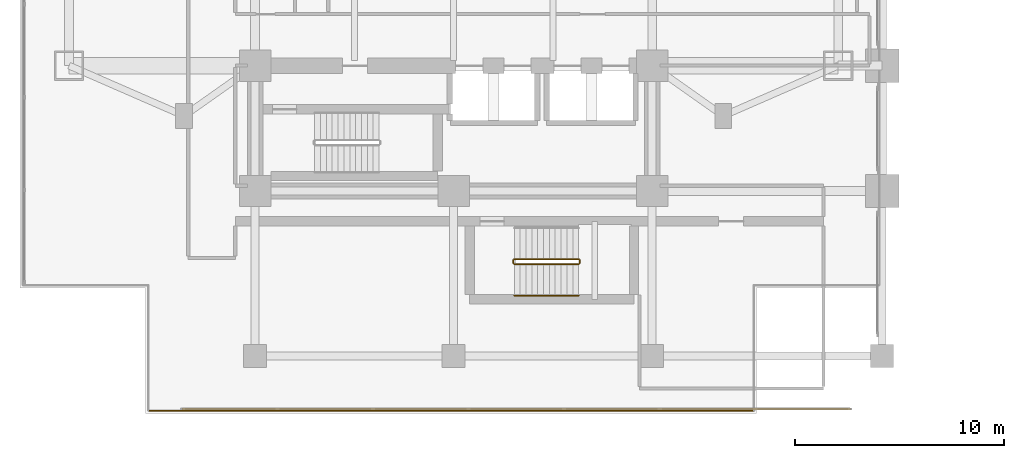
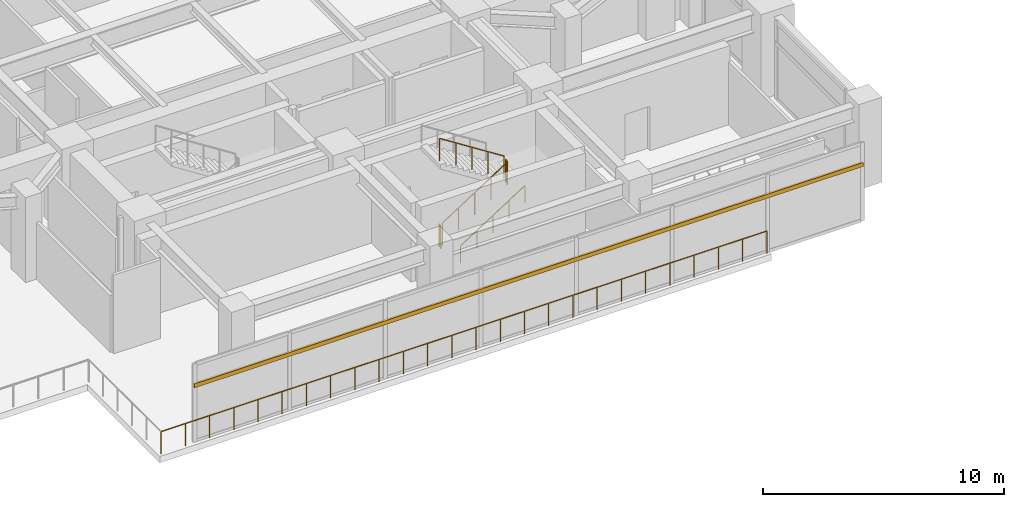
# One storey, part 22 of 31: 6 railings, 1 shading device.
"""IFC4 building model written with IfcOpenShell, lengths in metres."""

import ifcopenshell
import ifcopenshell.guid

model = None  # the IFC model being written
_history = None  # IfcOwnerHistory: only IFC2X3 demands one
_inside = {}  # id of a spatial element -> (the spatial element, [elements in it])
_under = {}  # id of a project, library or spatial element -> (it, [spatial elements below it])
_declared = {}  # id of a project -> (the project, [libraries it declares])
_typed = {}  # id of a type object -> (the type object, [elements of that type])
_made_of = {}  # id of a material, layer set ... -> (it, [elements and type objects made of it])


def new_model(schema):
    """Start an empty IFC model of exactly this schema.

    Asked for "IFC4X3", IfcOpenShell would pick the latest addendum, in which some entities
    have other attributes; the version numbers below select the first issue.
    IFC2X3 requires an IfcOwnerHistory on every rooted entity: one is made here for all.
    """
    global model, _history
    if schema == "IFC4X3":
        model = ifcopenshell.file(schema_version=(4, 3, 0, 0))
    else:
        model = ifcopenshell.file(schema=schema)
    _inside.clear()
    _under.clear()
    _declared.clear()
    _typed.clear()
    _made_of.clear()
    _history = None
    if model.schema == "IFC2X3":
        org = make("IfcOrganization", Name="unknown")
        user = make(
            "IfcPersonAndOrganization",
            ThePerson=make("IfcPerson", FamilyName="unknown"),
            TheOrganization=org,
        )
        app = make(
            "IfcApplication",
            ApplicationDeveloper=org,
            Version="unknown",
            ApplicationFullName="unknown",
            ApplicationIdentifier="unknown",
        )
        _history = make(
            "IfcOwnerHistory",
            OwningUser=user,
            OwningApplication=app,
            ChangeAction="ADDED",
            CreationDate=0,
        )
    return model


def make(cls, **values):
    """One entity of the class cls with the attributes given. An attribute that is None is left unset."""
    return model.create_entity(
        cls, **{name: value for name, value in values.items() if value is not None}
    )


def rooted(cls, **values):
    """An entity with a GlobalId (a new one), such as an element, a storey or a relation."""
    return make(cls, GlobalId=ifcopenshell.guid.new(), OwnerHistory=_history, **values)


def si_unit(unit_type, name, prefix=None):
    """IfcSIUnit, for example si_unit("LENGTHUNIT", "METRE", prefix="MILLI")."""
    return make("IfcSIUnit", UnitType=unit_type, Prefix=prefix, Name=name)


def assignment(units):
    """IfcUnitAssignment: the units of a project."""
    return None if units is None else make("IfcUnitAssignment", Units=units)


def point(xyz):
    """IfcCartesianPoint."""
    return None if xyz is None else make("IfcCartesianPoint", Coordinates=xyz)


def direction(xyz):
    """IfcDirection."""
    return None if xyz is None else make("IfcDirection", DirectionRatios=xyz)


def frame(location, z_axis=None, x_axis=None):
    """IfcAxis2Placement3D, a coordinate frame: its origin and axes. An axis left out is left unset."""
    return make(
        "IfcAxis2Placement3D",
        Location=point(location),
        Axis=direction(z_axis),
        RefDirection=direction(x_axis),
    )


def frame_2d(location, x_axis=None):
    """IfcAxis2Placement2D, a coordinate frame in the plane: its origin and x axis."""
    return make(
        "IfcAxis2Placement2D", Location=point(location), RefDirection=direction(x_axis)
    )


def origin():
    """The frame at (0, 0, 0) with its axes left unset."""
    return frame((0.0, 0.0, 0.0))


def origin_2d():
    """The frame at (0, 0) in the plane with its x axis left unset."""
    return frame_2d((0.0, 0.0))


def place(relative_to, where):
    """IfcLocalPlacement: puts the frame where relative to a parent placement (None: the world)."""
    return make(
        "IfcLocalPlacement", PlacementRelTo=relative_to, RelativePlacement=where
    )


def context(
    kind, dimensions, precision=None, world=None, true_north=None, identifier=None
):
    """IfcGeometricRepresentationContext, for example the 3D "Model" context."""
    return make(
        "IfcGeometricRepresentationContext",
        ContextIdentifier=identifier,
        ContextType=kind,
        CoordinateSpaceDimension=dimensions,
        Precision=precision,
        WorldCoordinateSystem=world,
        TrueNorth=true_north,
    )


def subcontext(parent, identifier, kind, view, scale=None):
    """IfcGeometricRepresentationSubContext, for example "Body" below "Model"."""
    return make(
        "IfcGeometricRepresentationSubContext",
        ContextIdentifier=identifier,
        ContextType=kind,
        ParentContext=parent,
        TargetScale=scale,
        TargetView=view,
    )


def project(units=None, contexts=None):
    """IfcProject with its units and contexts."""
    return rooted(
        "IfcProject",
        Name="project",
        RepresentationContexts=contexts,
        UnitsInContext=assignment(units),
    )


def spatial(cls, under=None, at=None, **own):
    """A site, building, storey or space (cls), placed at a placement, below another one or the project."""
    s = rooted(cls, ObjectPlacement=at, **own)
    if under is not None:
        _under.setdefault(under.id(), (under, []))[1].append(s)
    return s


def profile(cls, at=None, kind="AREA", **sizes):
    """A parametric profile (cls). Its sizes go by their IFC names, for example OverallWidth=200.0."""
    return make(cls, ProfileType=kind, Position=at, **sizes)


def rectangle(**sizes):
    """IfcRectangleProfileDef."""
    return profile("IfcRectangleProfileDef", **sizes)


def circle(**sizes):
    """IfcCircleProfileDef."""
    return profile("IfcCircleProfileDef", **sizes)


def extrude(swept, where, along, depth):
    """IfcExtrudedAreaSolid: the profile swept, set in the frame where, extruded along a direction by depth."""
    return make(
        "IfcExtrudedAreaSolid",
        SweptArea=swept,
        Position=where,
        ExtrudedDirection=direction(along),
        Depth=depth,
    )


def shape(context_of_items, identifier, shape_type, items):
    """IfcShapeRepresentation: the items that make up one representation, for example the "Body"."""
    return make(
        "IfcShapeRepresentation",
        ContextOfItems=context_of_items,
        RepresentationIdentifier=identifier,
        RepresentationType=shape_type,
        Items=items,
    )


def material(Name=None, Category=None):
    """IfcMaterial."""
    return make("IfcMaterial", Name=Name, Category=Category)


def material_profile(
    of_material, cross_section, Name=None, Category=None, Priority=None
):
    """IfcMaterialProfile: a cross section and its material."""
    return make(
        "IfcMaterialProfile",
        Name=Name,
        Material=of_material,
        Profile=cross_section,
        Priority=Priority,
        Category=Category,
    )


def profile_set(profiles, Name=None, composite=None):
    """IfcMaterialProfileSet."""
    return make(
        "IfcMaterialProfileSet",
        Name=Name,
        MaterialProfiles=profiles,
        CompositeProfile=composite,
    )


def made_of(thing, what):
    """Note that an element or type object is made of a material, layer set ...; save() writes the relation."""
    if what is not None:
        _made_of.setdefault(what.id(), (what, []))[1].append(thing)
    return thing


def type_object(cls, material=None, **own):
    """A type object (cls), such as IfcWallType, which elements share."""
    return made_of(rooted(cls, **own), material)


def element(
    cls,
    number,
    at=None,
    inside=None,
    cuts=None,
    type_object=None,
    material=None,
    context=None,
    identifier="Body",
    shape_type=None,
    held_by="IfcProductDefinitionShape",
    body=None,
    shapes=None,
    **own,
):
    """One element of the class cls, such as IfcWall. Its Tag is "e" and its number.

    at: its placement. inside: the storey or other place that contains it. cuts: it is an
    opening in that element (IfcRelVoidsElement). A single representation is given by context,
    identifier, shape_type and body (its items); several are given by shapes. held_by: the class
    of the entity that holds the representations. save() writes the other relations.
    """
    e = rooted(cls, Tag="e%d" % number, ObjectPlacement=at, **own)
    if body is not None:
        shapes = [shape(context, identifier, shape_type, body)]
    if shapes is not None:
        e.Representation = make(held_by, Representations=shapes)
    if inside is not None:
        _inside.setdefault(inside.id(), (inside, []))[1].append(e)
    if cuts is not None:
        rooted(
            "IfcRelVoidsElement", RelatingBuildingElement=cuts, RelatedOpeningElement=e
        )
    if type_object is not None:
        _typed.setdefault(type_object.id(), (type_object, []))[1].append(e)
    return made_of(e, material)


def aggregate(whole, parts):
    """IfcRelAggregates: a whole, such as a stair, and the parts it consists of."""
    return rooted("IfcRelAggregates", RelatingObject=whole, RelatedObjects=parts)


def save(model, path):
    """Write the relations noted so far, then the file.

    IfcRelAggregates (storeys below a building ...), IfcRelContainedInSpatialStructure (elements
    in a storey), IfcRelDefinesByType, IfcRelAssociatesMaterial and IfcRelDeclares: one each for
    every whole, place, type object, material and project.
    """
    for whole, parts in _under.values():
        aggregate(whole, parts)
    for where, things in _inside.values():
        rooted(
            "IfcRelContainedInSpatialStructure",
            RelatedElements=things,
            RelatingStructure=where,
        )
    for kind, things in _typed.values():
        rooted("IfcRelDefinesByType", RelatedObjects=things, RelatingType=kind)
    for what, things in _made_of.values():
        rooted("IfcRelAssociatesMaterial", RelatedObjects=things, RelatingMaterial=what)
    for by, libraries in _declared.values():
        rooted("IfcRelDeclares", RelatingContext=by, RelatedDefinitions=libraries)
    model.write(path)


model = new_model("IFC4")

# Units and contexts
model_context = context("Model", 3, precision=1e-05, world=origin(), true_north=direction((0.0, 1.0)))
body_context = subcontext(model_context, "Body", "Model", "MODEL_VIEW")
ifc_project = project(units=[si_unit("LENGTHUNIT", "METRE"), si_unit("AREAUNIT", "SQUARE_METRE"), si_unit("VOLUMEUNIT", "CUBIC_METRE"), si_unit("PLANEANGLEUNIT", "RADIAN"), si_unit("MASSUNIT", "GRAM", prefix="KILO")], contexts=[model_context])

# Site, building, storey
site_placement = place(None, origin())
site = spatial("IfcSite", under=ifc_project, at=site_placement, CompositionType="ELEMENT")
building_placement = place(site_placement, origin())
building = spatial("IfcBuilding", under=site, at=building_placement, Name="Mirazonda Arch Towers", CompositionType="ELEMENT")
storey_placement = place(building_placement, frame((0.0, 0.0, 5.199951171875)))
storey = spatial("IfcBuildingStorey", under=building, at=storey_placement, Name="L01", CompositionType="ELEMENT", Elevation=5.199951171875)

# Shading device
ifc_material_1 = material(Name="Kiln-Fired Architectural Terracotta", Category="masonry")
ifc_material_profile = material_profile(ifc_material_1, rectangle(XDim=0.10009765625, YDim=0.199951171875, at=origin_2d()), Name="TERRA-BAG-100x200")
ifc_profile_set = profile_set([ifc_material_profile], Name="Kiln-Fired Architectural Terracotta")
shading_device_type = type_object("IfcShadingDeviceType", Name="BAGUETTE-2", PredefinedType="USERDEFINED", material=ifc_profile_set)
shading_device_placement = place(storey_placement, frame((39.5, 1.969970703125, 2.851318359375), z_axis=(-1.0, 0.0, 0.0), x_axis=(0.0, -1.0, 0.0)))
element("IfcShadingDevice", 1, at=shading_device_placement, inside=storey, type_object=shading_device_type, Name="L01 Glazed Terracotta Sun-Screen Baguette CW-L01-WS", ObjectType="BAGUETTE", PredefinedType="USERDEFINED", context=body_context, shape_type="SweptSolid", body=[
    extrude(rectangle(XDim=0.10009765625, YDim=0.199951171875, at=origin_2d()), origin(), (0.0, 0.0, 1.0), 32.0),
])

# Railings
ifc_material_2 = material(Name="Architectural Brushed Steel S355", Category="steel")
railing_type_1 = type_object("IfcRailingType", Name="GUARD-EXT-1150", PredefinedType="GUARDRAIL", material=ifc_material_2)
railing_1_placement = place(storey_placement, frame((5.889892578125, 1.889892578125, 0.0)))
element("IfcRailing", 2, at=railing_1_placement, inside=storey, type_object=railing_type_1, Name="L01 L01 West Podium Perimeter Guard 01", PredefinedType="GUARDRAIL", context=body_context, shape_type="SweptSolid", body=[
    extrude(circle(Radius=0.02392578125, at=origin_2d()), frame((0.0, 0.0, 1.1259765625), z_axis=(1.0, 0.0, 0.0), x_axis=(0.0, 1.0, 0.0)), (0.0, 0.0, 1.0), 28.97021484375),
    extrude(circle(Radius=0.02099609375, at=origin_2d()), origin(), (0.0, 0.0, 1.0), 1.101806640625),
    extrude(circle(Radius=0.02099609375, at=origin_2d()), frame((1.15869140625, 0.0, 0.0)), (0.0, 0.0, 1.0), 1.101806640625),
    extrude(circle(Radius=0.02099609375, at=origin_2d()), frame((2.317626953125, 0.0, 0.0)), (0.0, 0.0, 1.0), 1.101806640625),
    extrude(circle(Radius=0.02099609375, at=origin_2d()), frame((3.476318359375, 0.0, 0.0)), (0.0, 0.0, 1.0), 1.101806640625),
    extrude(circle(Radius=0.02099609375, at=origin_2d()), frame((4.63525390625, 0.0, 0.0)), (0.0, 0.0, 1.0), 1.101806640625),
    extrude(circle(Radius=0.02099609375, at=origin_2d()), frame((5.7939453125, 0.0, 0.0)), (0.0, 0.0, 1.0), 1.101806640625),
    extrude(circle(Radius=0.02099609375, at=origin_2d()), frame((6.952880859375, 0.0, 0.0)), (0.0, 0.0, 1.0), 1.101806640625),
    extrude(circle(Radius=0.02099609375, at=origin_2d()), frame((8.111572265625, 0.0, 0.0)), (0.0, 0.0, 1.0), 1.101806640625),
    extrude(circle(Radius=0.02099609375, at=origin_2d()), frame((9.2705078125, 0.0, 0.0)), (0.0, 0.0, 1.0), 1.101806640625),
    extrude(circle(Radius=0.02099609375, at=origin_2d()), frame((10.42919921875, 0.0, 0.0)), (0.0, 0.0, 1.0), 1.101806640625),
    extrude(circle(Radius=0.02099609375, at=origin_2d()), frame((11.588134765625, 0.0, 0.0)), (0.0, 0.0, 1.0), 1.101806640625),
    extrude(circle(Radius=0.02099609375, at=origin_2d()), frame((12.746826171875, 0.0, 0.0)), (0.0, 0.0, 1.0), 1.101806640625),
    extrude(circle(Radius=0.02099609375, at=origin_2d()), frame((13.90576171875, 0.0, 0.0)), (0.0, 0.0, 1.0), 1.101806640625),
    extrude(circle(Radius=0.02099609375, at=origin_2d()), frame((15.064453125, 0.0, 0.0)), (0.0, 0.0, 1.0), 1.101806640625),
    extrude(circle(Radius=0.02099609375, at=origin_2d()), frame((16.223388671875, 0.0, 0.0)), (0.0, 0.0, 1.0), 1.101806640625),
    extrude(circle(Radius=0.02099609375, at=origin_2d()), frame((17.382080078125, 0.0, 0.0)), (0.0, 0.0, 1.0), 1.101806640625),
    extrude(circle(Radius=0.02099609375, at=origin_2d()), frame((18.541015625, 0.0, 0.0)), (0.0, 0.0, 1.0), 1.101806640625),
    extrude(circle(Radius=0.02099609375, at=origin_2d()), frame((19.69970703125, 0.0, 0.0)), (0.0, 0.0, 1.0), 1.101806640625),
    extrude(circle(Radius=0.02099609375, at=origin_2d()), frame((20.858642578125, 0.0, 0.0)), (0.0, 0.0, 1.0), 1.101806640625),
    extrude(circle(Radius=0.02099609375, at=origin_2d()), frame((22.017333984375, 0.0, 0.0)), (0.0, 0.0, 1.0), 1.101806640625),
    extrude(circle(Radius=0.02099609375, at=origin_2d()), frame((23.17626953125, 0.0, 0.0)), (0.0, 0.0, 1.0), 1.101806640625),
    extrude(circle(Radius=0.02099609375, at=origin_2d()), frame((24.3349609375, 0.0, 0.0)), (0.0, 0.0, 1.0), 1.101806640625),
    extrude(circle(Radius=0.02099609375, at=origin_2d()), frame((25.493896484375, 0.0, 0.0)), (0.0, 0.0, 1.0), 1.101806640625),
    extrude(circle(Radius=0.02099609375, at=origin_2d()), frame((26.652587890625, 0.0, 0.0)), (0.0, 0.0, 1.0), 1.101806640625),
    extrude(circle(Radius=0.02099609375, at=origin_2d()), frame((27.8115234375, 0.0, 0.0)), (0.0, 0.0, 1.0), 1.101806640625),
    extrude(circle(Radius=0.02099609375, at=origin_2d()), frame((28.97021484375, 0.0, 0.0)), (0.0, 0.0, 1.0), 1.101806640625),
])
railing_type_2 = type_object("IfcRailingType", Name="GUARD-STAIR-1120", PredefinedType="GUARDRAIL", material=ifc_material_2)
railing_2_placement = place(storey_placement, frame((23.39990234375, 8.89990234375, 0.17919921875)))
element("IfcRailing", 3, at=railing_2_placement, inside=storey, type_object=railing_type_2, Name="L01 ST-POD1 stair guard 1", PredefinedType="GUARDRAIL", context=body_context, shape_type="SweptSolid", body=[
    extrude(circle(Radius=0.02392578125, at=origin_2d()), frame((0.0, 0.0, 1.1259765625), z_axis=(0.842308987159, 0.0, 0.53899496301), x_axis=(0.0, 1.0, 0.0)), (0.0, 0.0, 1.0), 3.65673828125),
    extrude(circle(Radius=0.02099609375, at=origin_2d()), origin(), (0.0, 0.0, 1.0), 1.101806640625),
    extrude(circle(Radius=0.02099609375, at=origin_2d()), frame((0.77001953125, 0.0, 0.49267578125)), (0.0, 0.0, 1.0), 1.101806640625),
    extrude(circle(Radius=0.02099609375, at=origin_2d()), frame((1.5400390625, 0.0, 0.9853515625)), (0.0, 0.0, 1.0), 1.101806640625),
    extrude(circle(Radius=0.02099609375, at=origin_2d()), frame((2.31005859375, 0.0, 1.478271484375)), (0.0, 0.0, 1.0), 1.101806640625),
    extrude(circle(Radius=0.02099609375, at=origin_2d()), frame((3.080078125, 0.0, 1.970947265625)), (0.0, 0.0, 1.0), 1.101806640625),
])
railing_3_placement = place(storey_placement, frame((26.530029296875, 8.949951171875, 2.150146484375)))
element("IfcRailing", 4, at=railing_3_placement, inside=storey, type_object=railing_type_2, Name="L01 ST-POD1 stair guard 2", PredefinedType="GUARDRAIL", context=body_context, shape_type="SweptSolid", body=[
    extrude(circle(Radius=0.02392578125, at=origin_2d()), frame((0.0, 0.0, 1.1259765625), z_axis=(0.0, 1.0, 0.0), x_axis=(-1.0, 0.0, 0.0)), (0.0, 0.0, 1.0), 0.14013671875),
    extrude(circle(Radius=0.02099609375, at=origin_2d()), origin(), (0.0, 0.0, 1.0), 1.101806640625),
    extrude(circle(Radius=0.02099609375, at=origin_2d()), frame((0.0, 0.14013671875, 0.0)), (0.0, 0.0, 1.0), 1.101806640625),
])
railing_4_placement = place(storey_placement, frame((26.47998046875, 9.139892578125, 2.3291015625)))
element("IfcRailing", 5, at=railing_4_placement, inside=storey, type_object=railing_type_2, Name="L01 ST-POD1 stair guard 3", PredefinedType="GUARDRAIL", context=body_context, shape_type="SweptSolid", body=[
    extrude(circle(Radius=0.02392578125, at=origin_2d()), frame((0.0, 0.0, 1.1259765625), z_axis=(-0.842308987159, 0.0, 0.53899496301), x_axis=(0.0, -1.0, 0.0)), (0.0, 0.0, 1.0), 3.65673828125),
    extrude(circle(Radius=0.02099609375, at=origin_2d()), origin(), (0.0, 0.0, 1.0), 1.101806640625),
    extrude(circle(Radius=0.02099609375, at=origin_2d()), frame((-0.77001953125, 0.0, 0.49267578125)), (0.0, 0.0, 1.0), 1.101806640625),
    extrude(circle(Radius=0.02099609375, at=origin_2d()), frame((-1.5400390625, 0.0, 0.9853515625)), (0.0, 0.0, 1.0), 1.101806640625),
    extrude(circle(Radius=0.02099609375, at=origin_2d()), frame((-2.31005859375, 0.0, 1.478271484375)), (0.0, 0.0, 1.0), 1.101806640625),
    extrude(circle(Radius=0.02099609375, at=origin_2d()), frame((-3.080078125, 0.0, 1.970947265625)), (0.0, 0.0, 1.0), 1.101806640625),
])
railing_5_placement = place(storey_placement, frame((23.35009765625, 8.949951171875, 0.0)))
element("IfcRailing", 6, at=railing_5_placement, inside=storey, type_object=railing_type_2, Name="L01 ST-POD1 stair guard 4", PredefinedType="GUARDRAIL", context=body_context, shape_type="SweptSolid", body=[
    extrude(circle(Radius=0.02392578125, at=origin_2d()), frame((0.0, 0.0, 1.1259765625), z_axis=(0.0, 1.0, 0.0), x_axis=(-1.0, 0.0, 0.0)), (0.0, 0.0, 1.0), 0.14013671875),
    extrude(circle(Radius=0.02099609375, at=origin_2d()), origin(), (0.0, 0.0, 1.0), 1.101806640625),
    extrude(circle(Radius=0.02099609375, at=origin_2d()), frame((0.0, 0.14013671875, 0.0)), (0.0, 0.0, 1.0), 1.101806640625),
])
railing_type_3 = type_object("IfcRailingType", Name="HANDRAIL-915", PredefinedType="HANDRAIL", material=ifc_material_2)
railing_6_placement = place(storey_placement, frame((23.39990234375, 7.39990234375, 0.17919921875)))
element("IfcRailing", 7, at=railing_6_placement, inside=storey, type_object=railing_type_3, Name="L01 ST-POD1 stair handrail 1", PredefinedType="HANDRAIL", context=body_context, shape_type="SweptSolid", body=[
    extrude(circle(Radius=0.02392578125, at=origin_2d()), frame((0.0, 0.0, 0.8759765625), z_axis=(0.842308987159, 0.0, 0.53899496301), x_axis=(0.0, 1.0, 0.0)), (0.0, 0.0, 1.0), 3.65673828125),
    extrude(circle(Radius=0.02099609375, at=origin_2d()), origin(), (0.0, 0.0, 1.0), 0.851806640625),
    extrude(circle(Radius=0.02099609375, at=origin_2d()), frame((0.77001953125, 0.0, 0.49267578125)), (0.0, 0.0, 1.0), 0.851806640625),
    extrude(circle(Radius=0.02099609375, at=origin_2d()), frame((1.5400390625, 0.0, 0.9853515625)), (0.0, 0.0, 1.0), 0.851806640625),
    extrude(circle(Radius=0.02099609375, at=origin_2d()), frame((2.31005859375, 0.0, 1.478271484375)), (0.0, 0.0, 1.0), 0.851806640625),
    extrude(circle(Radius=0.02099609375, at=origin_2d()), frame((3.080078125, 0.0, 1.970947265625)), (0.0, 0.0, 1.0), 0.851806640625),
])

save(model, "model.ifc")
